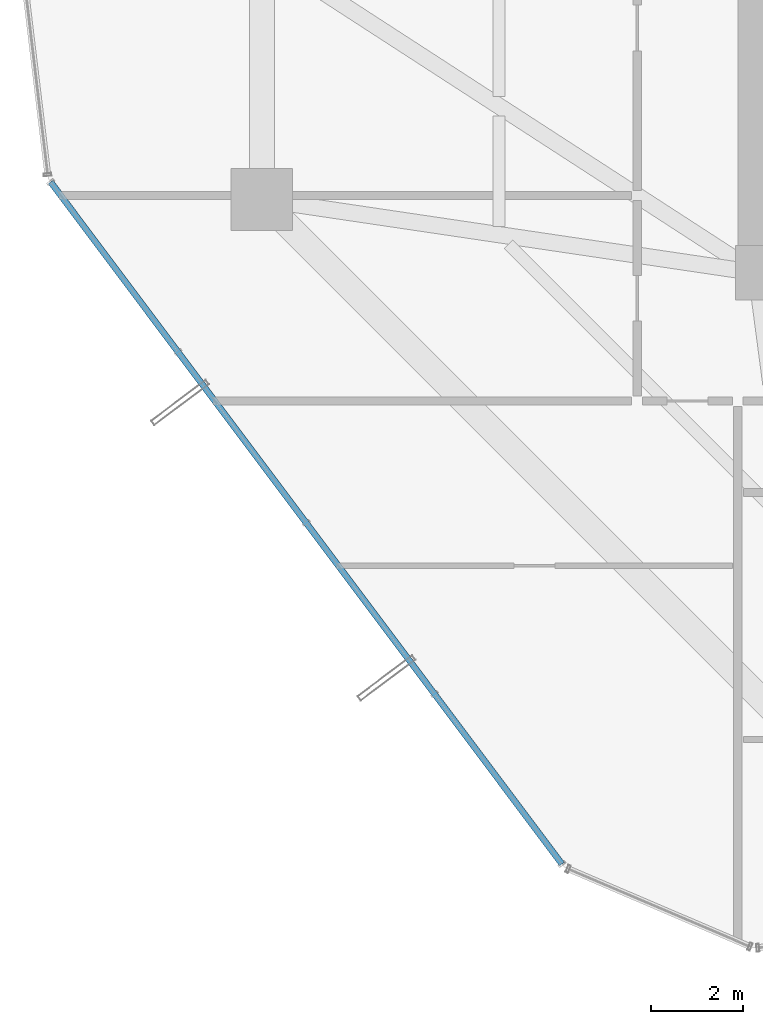
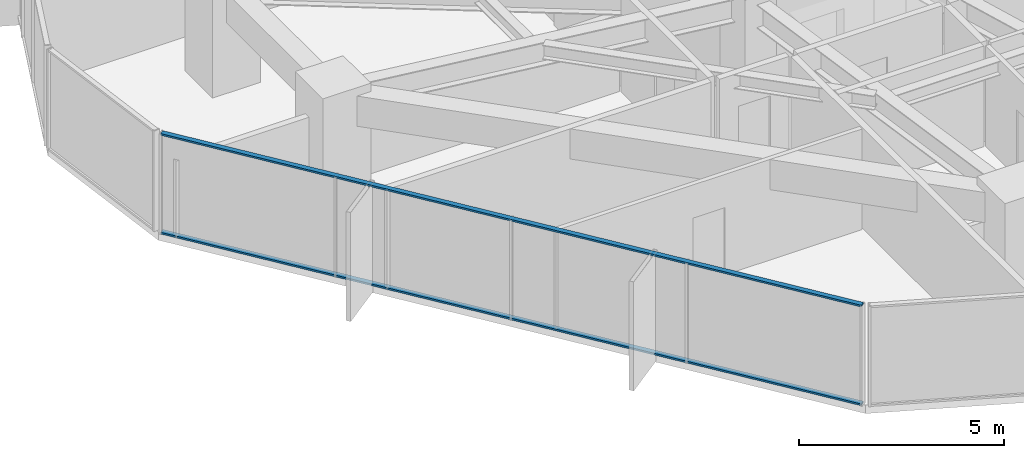
# One storey, part 3 of 37: 2 members, 1 element without a shape of its own.
"""IFC4 building model written with IfcOpenShell, lengths in metres."""

from ifc_helpers import new_model, si_unit, direction, frame, origin, origin_2d, place, context, subcontext, project, spatial, hollow_rectangle, extrude, source, transform, mapped, material, layer, layer_set, material_profile, profile_set, type_object, element, aggregate, save


model = new_model("IFC4")

# Units and contexts
model_context = context("Model", 3, precision=1e-05, world=origin(), true_north=direction((0.0, 1.0)))
body_context = subcontext(model_context, "Body", "Model", "MODEL_VIEW")
ifc_project = project(units=[si_unit("LENGTHUNIT", "METRE"), si_unit("AREAUNIT", "SQUARE_METRE"), si_unit("VOLUMEUNIT", "CUBIC_METRE"), si_unit("PLANEANGLEUNIT", "RADIAN"), si_unit("MASSUNIT", "GRAM", prefix="KILO")], contexts=[model_context])

# Site, building, storey
site_placement = place(None, origin())
site = spatial("IfcSite", under=ifc_project, at=site_placement, CompositionType="ELEMENT")
building_placement = place(site_placement, origin())
building = spatial("IfcBuilding", under=site, at=building_placement, Name="Veraguas Prism Commons", CompositionType="ELEMENT")
storey_placement = place(building_placement, frame((0.0, 0.0, 46.800048828125)))
storey = spatial("IfcBuildingStorey", under=building, at=storey_placement, Name="L12", CompositionType="ELEMENT", Elevation=46.800048828125)

# Curtain wall, members
ifc_material = material(Name="Anodised aluminium EN AW-6063 T6", Category="aluminium")
ifc_layer = layer(ifc_material, 0.169921875, Name="Unitised Flush Curtain Wall Zone 1", Category="aluminium")
ifc_layer_set = layer_set([ifc_layer], Name="Anodised aluminium EN AW-6063 T6")
curtain_wall_type = type_object("IfcCurtainWallType", Name="Unitised Flush Curtain Wall Zone 1", PredefinedType="NOTDEFINED", material=ifc_layer_set)
curtain_wall_placement = place(storey_placement, origin())
curtain_wall = element("IfcCurtainWall", 1, at=curtain_wall_placement, inside=storey, type_object=curtain_wall_type, Name="Tower Facade Curtain Wall L12-F4", PredefinedType="NOTDEFINED")
ifc_material_profile = material_profile(ifc_material, hollow_rectangle(XDim=0.054931640625, YDim=0.135009765625, WallThickness=0.0029296875, at=origin_2d()), Name="AL55X135X3")
ifc_profile_set = profile_set([ifc_material_profile], Name="Anodised aluminium EN AW-6063 T6")
member_type = type_object("IfcMemberType", Name="Curtain Wall Transom Standard AL 55x135x3", PredefinedType="USERDEFINED", material=ifc_profile_set)
shared_shape = source(origin(), body_context, "Body", "SweptSolid", [
    extrude(hollow_rectangle(XDim=0.054931640625, YDim=0.135009765625, WallThickness=0.0029296875, at=origin_2d()), origin(), (0.0, 0.0, 1.0), 18.6240234375),
])
member_1_placement = place(storey_placement, frame((1.7841796875, 18.982666015625, 0.02734375), z_axis=(0.599863658638, -0.800102237871, 0.0), x_axis=(0.0, 0.0, 1.0)))
member_1 = element("IfcMember", 2, at=member_1_placement, type_object=member_type, Name="CW-Z1 Transom 1", ObjectType="TRANSOM", PredefinedType="USERDEFINED", context=body_context, shape_type="MappedRepresentation", body=[
    mapped(shared_shape, transform((0.0, 0.0, 0.0), scale=1.0)),
])
member_2_placement = place(storey_placement, frame((1.7841796875, 18.982666015625, 2.972412109375), z_axis=(0.599863658638, -0.800102237871, 0.0), x_axis=(0.0, 0.0, 1.0)))
member_2 = element("IfcMember", 3, at=member_2_placement, type_object=member_type, Name="CW-Z1 Transom 2", ObjectType="TRANSOM", PredefinedType="USERDEFINED", context=body_context, shape_type="MappedRepresentation", body=[
    mapped(shared_shape, transform((0.0, 0.0, 0.0), scale=1.0)),
])
aggregate(curtain_wall, [member_1, member_2])

save(model, "model.ifc")
